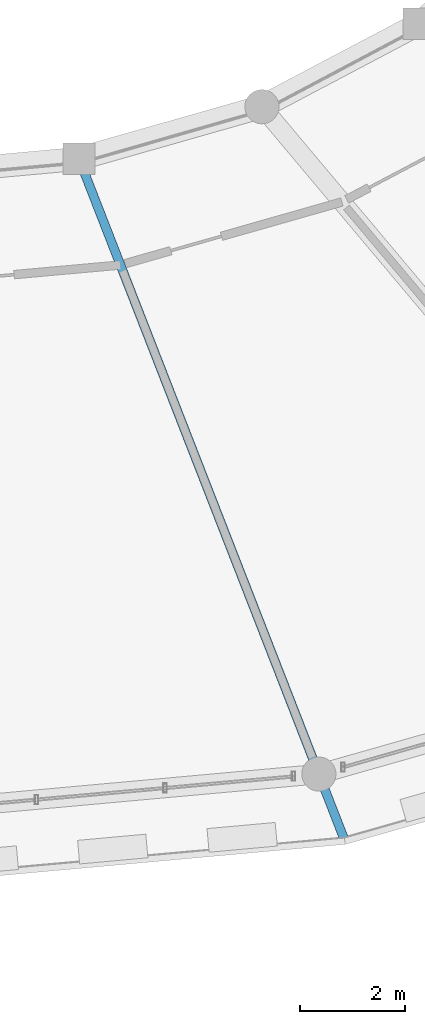
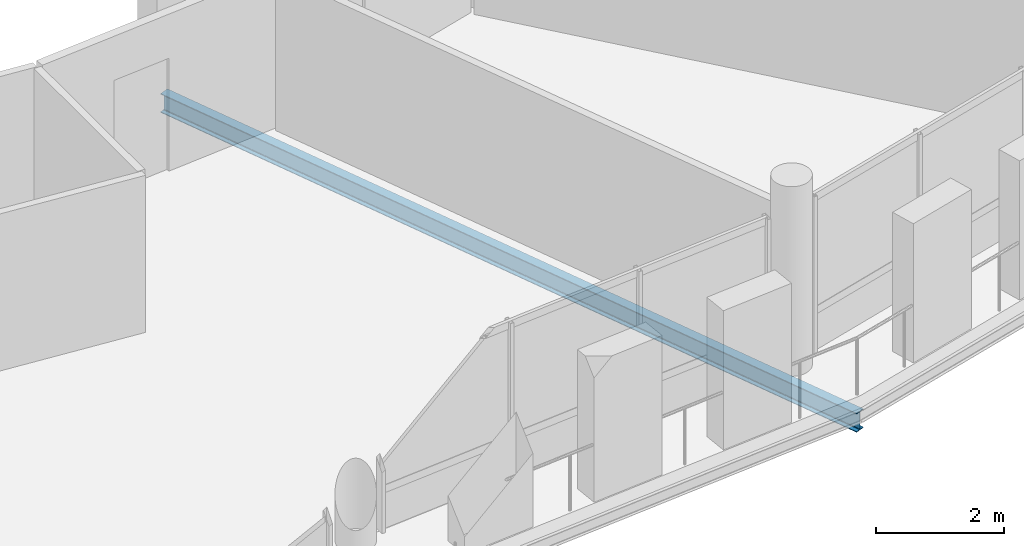
# One storey, part 28 of 93: 1 beam.
"""IFC4 building model written with IfcOpenShell, lengths in metres."""

from ifc_helpers import new_model, si_unit, direction, frame, origin, origin_2d, place, context, subcontext, project, spatial, i_section, extrude, material, material_profile, profile_set, type_object, element, save


model = new_model("IFC4")

# Units and contexts
model_context = context("Model", 3, precision=1e-05, world=origin(), true_north=direction((0.0, 1.0)))
body_context = subcontext(model_context, "Body", "Model", "MODEL_VIEW")
ifc_project = project(units=[si_unit("LENGTHUNIT", "METRE"), si_unit("AREAUNIT", "SQUARE_METRE"), si_unit("VOLUMEUNIT", "CUBIC_METRE"), si_unit("PLANEANGLEUNIT", "RADIAN"), si_unit("MASSUNIT", "GRAM", prefix="KILO")], contexts=[model_context])

# Site, building, storey
site_placement = place(None, origin())
site = spatial("IfcSite", under=ifc_project, at=site_placement, CompositionType="ELEMENT")
building_placement = place(site_placement, origin())
building = spatial("IfcBuilding", under=site, at=building_placement, Name="Zornivar Specialist Clinic", CompositionType="ELEMENT")
storey_placement = place(building_placement, frame((0.0, 0.0, 8.39990234375)))
storey = spatial("IfcBuildingStorey", under=building, at=storey_placement, Name="L02", CompositionType="ELEMENT", Elevation=8.39990234375)

# Beam
ifc_material = material(Name="Steel S355J2", Category="steel")
ifc_material_profile = material_profile(ifc_material, i_section(OverallWidth=0.169921875, OverallDepth=0.360107421875, WebThickness=0.008056640625, FlangeThickness=0.0126953125, FilletRadius=0.01806640625, at=origin_2d()), Name="IPE 360")
ifc_profile_set = profile_set([ifc_material_profile], Name="Steel S355J2")
beam_type = type_object("IfcBeamType", Name="BM-STL-IPE360", PredefinedType="BEAM", material=ifc_profile_set)
beam_placement = place(storey_placement, frame((97.326904296875, 48.037109375, -0.469970703125), z_axis=(0.363143135914, -0.931733364669, 0.0), x_axis=(0.931733364669, 0.363143135914, 0.0)))
element("IfcBeam", 1, at=beam_placement, inside=storey, type_object=beam_type, Name="bm:V1:L02:radmid:19", PredefinedType="BEAM", context=body_context, shape_type="SweptSolid", body=[
    extrude(i_section(OverallWidth=0.169921875, OverallDepth=0.360107421875, WebThickness=0.008056640625, FlangeThickness=0.0126953125, FilletRadius=0.01806640625, at=origin_2d()), origin(), (0.0, 0.0, 1.0), 13.911865234375),
])

save(model, "model.ifc")
